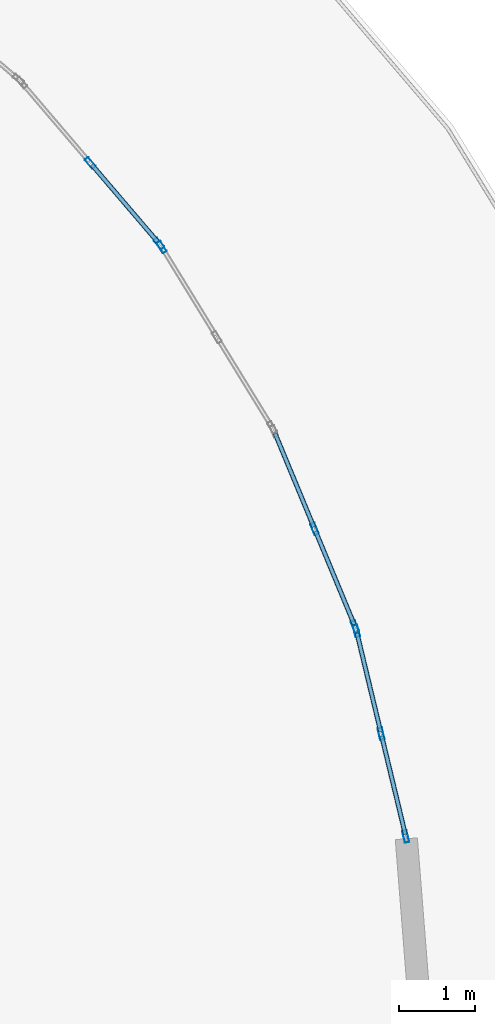
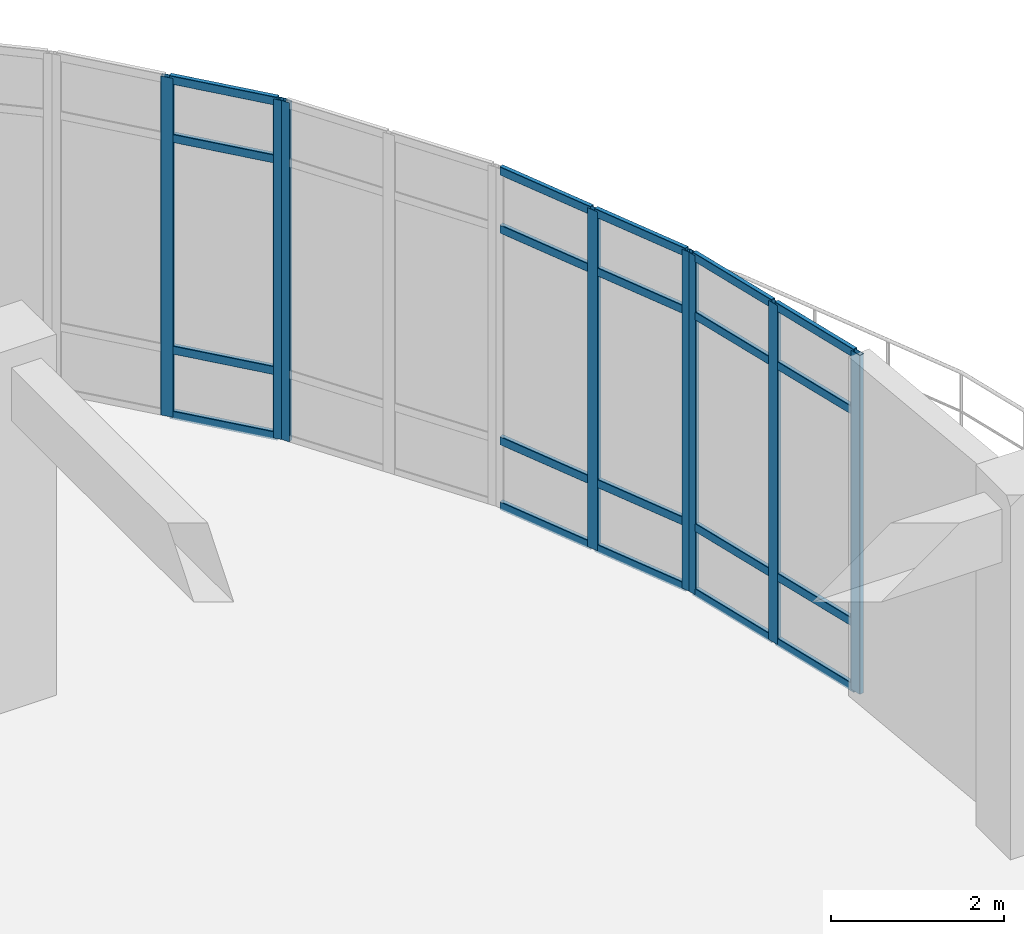
# One storey, part 65 of 96: 28 members, 4 elements without a shape of their own.
"""IFC4 building model written with IfcOpenShell, lengths in metres."""

from ifc_helpers import new_model, si_unit, derived_unit, direction, frame, origin, origin_2d, place, context, subcontext, project, spatial, hollow_rectangle, extrude, material, layer, layer_set, material_profile, profile_set, type_object, element, aggregate, save


model = new_model("IFC4")

# Units and contexts
model_context = context("Model", 3, precision=1e-05, world=origin(), true_north=direction((0.0, 1.0)))
body_context = subcontext(model_context, "Body", "Model", "MODEL_VIEW")
ifc_project = project(units=[si_unit("LENGTHUNIT", "METRE"), si_unit("AREAUNIT", "SQUARE_METRE"), si_unit("VOLUMEUNIT", "CUBIC_METRE"), si_unit("PLANEANGLEUNIT", "RADIAN"), si_unit("MASSUNIT", "GRAM", prefix="KILO"), derived_unit("THERMALTRANSMITTANCEUNIT", [(si_unit("MASSUNIT", "GRAM", prefix="KILO"), 1), (si_unit("TIMEUNIT", "SECOND"), -3), (si_unit("THERMODYNAMICTEMPERATUREUNIT", "KELVIN"), -1)])], contexts=[model_context])

# Site, building, storey
site_placement = place(None, origin())
site = spatial("IfcSite", under=ifc_project, at=site_placement, CompositionType="ELEMENT")
building_placement = place(site_placement, origin())
building = spatial("IfcBuilding", under=site, at=building_placement, Name="Qinzheling Arcade Emporium", CompositionType="ELEMENT")
storey_placement = place(building_placement, frame((0.0, 0.0, 21.60009765625)))
storey = spatial("IfcBuildingStorey", under=building, at=storey_placement, Name="L05", CompositionType="ELEMENT", Elevation=21.60009765625)

# Curtain wall, members
ifc_material_1 = material(Name="Anodised aluminium and solar-control double glazing", Category="aluminium")
ifc_layer = layer(ifc_material_1, 0.159912109375, Name="Anodised aluminium and solar-control double glazing", Category="aluminium")
ifc_layer_set = layer_set([ifc_layer], Name="Anodised aluminium and solar-control double glazing")
curtain_wall_type = type_object("IfcCurtainWallType", Name="Curved Ribbon Sales Curtain Wall", PredefinedType="NOTDEFINED", material=ifc_layer_set)
curtain_wall_1_placement = place(storey_placement, origin())
curtain_wall_1 = element("IfcCurtainWall", 1, at=curtain_wall_1_placement, inside=storey, type_object=curtain_wall_type, Name="Curtain Wall CW-L05-339", PredefinedType="NOTDEFINED")
ifc_material_2 = material(Name="Anodised aluminium 6063-T6", Category="aluminium")
ifc_material_profile_1 = material_profile(ifc_material_2, hollow_rectangle(XDim=0.06005859375, YDim=0.159912109375, WallThickness=0.00390625, InnerFilletRadius=0.00390625, OuterFilletRadius=0.008056640625, at=origin_2d()), Name="RHS 160x60x4", Category="aluminium")
ifc_profile_set_1 = profile_set([ifc_material_profile_1], Name="Anodised aluminium 6063-T6")
member_type_1 = type_object("IfcMemberType", Name="Curtain Wall Mullion RHS160x60", PredefinedType="MULLION", material=ifc_profile_set_1)
member_1_placement = place(storey_placement, frame((134.844970703125, 102.85400390625, 0.0), z_axis=(0.0, 0.0, 1.0), x_axis=(0.760504799831, 0.64933231048, 0.0)))
member_1 = element("IfcMember", 2, at=member_1_placement, type_object=member_type_1, Name="CW02 mullion 2", PredefinedType="MULLION", context=body_context, shape_type="SweptSolid", body=[
    extrude(hollow_rectangle(XDim=0.06005859375, YDim=0.159912109375, WallThickness=0.00390625, InnerFilletRadius=0.00390625, OuterFilletRadius=0.008056640625, at=origin_2d()), origin(), (0.0, 0.0, 1.0), 4.789794921875),
])
member_2_placement = place(storey_placement, frame((135.742431640625, 101.802734375, 0.0), z_axis=(0.0, 0.0, 1.0), x_axis=(0.760504799831, 0.64933231048, 0.0)))
member_2 = element("IfcMember", 3, at=member_2_placement, type_object=member_type_1, Name="CW02 mullion 3", PredefinedType="MULLION", context=body_context, shape_type="SweptSolid", body=[
    extrude(hollow_rectangle(XDim=0.06005859375, YDim=0.159912109375, WallThickness=0.00390625, InnerFilletRadius=0.00390625, OuterFilletRadius=0.008056640625, at=origin_2d()), origin(), (0.0, 0.0, 1.0), 4.789794921875),
])

# Curtain wall, member
curtain_wall_2_placement = place(storey_placement, origin())
curtain_wall_2 = element("IfcCurtainWall", 4, at=curtain_wall_2_placement, inside=storey, type_object=curtain_wall_type, Name="Curtain Wall CW-L05-340", PredefinedType="NOTDEFINED")
member_3_placement = place(storey_placement, frame((135.777587890625, 101.75439453125, 0.0), z_axis=(0.0, 0.0, 1.0), x_axis=(0.852580897222, 0.522595267575, 0.0)))
member_3 = element("IfcMember", 5, at=member_3_placement, type_object=member_type_1, Name="CW02 mullion 1", PredefinedType="MULLION", context=body_context, shape_type="SweptSolid", body=[
    extrude(hollow_rectangle(XDim=0.06005859375, YDim=0.159912109375, WallThickness=0.00390625, InnerFilletRadius=0.00390625, OuterFilletRadius=0.008056640625, at=origin_2d()), origin(), (0.0, 0.0, 1.0), 4.789794921875),
])
aggregate(curtain_wall_2, [member_3])

# Curtain wall, members
curtain_wall_3_placement = place(storey_placement, origin())
curtain_wall_3 = element("IfcCurtainWall", 6, at=curtain_wall_3_placement, inside=storey, type_object=curtain_wall_type, Name="Curtain Wall CW-L05-341", PredefinedType="NOTDEFINED")
member_4_placement = place(storey_placement, frame((137.778564453125, 98.06689453125, 0.0), z_axis=(0.0, 0.0, 1.0), x_axis=(0.923891721508, 0.382654004198, 0.0)))
member_4 = element("IfcMember", 7, at=member_4_placement, type_object=member_type_1, Name="CW02 mullion 2", PredefinedType="MULLION", context=body_context, shape_type="SweptSolid", body=[
    extrude(hollow_rectangle(XDim=0.06005859375, YDim=0.159912109375, WallThickness=0.00390625, InnerFilletRadius=0.00390625, OuterFilletRadius=0.008056640625, at=origin_2d()), origin(), (0.0, 0.0, 1.0), 4.789794921875),
])
member_5_placement = place(storey_placement, frame((138.3076171875, 96.789794921875, 0.0), z_axis=(0.0, 0.0, 1.0), x_axis=(0.923891721508, 0.382654004198, 0.0)))
member_5 = element("IfcMember", 8, at=member_5_placement, type_object=member_type_1, Name="CW02 mullion 3", PredefinedType="MULLION", context=body_context, shape_type="SweptSolid", body=[
    extrude(hollow_rectangle(XDim=0.06005859375, YDim=0.159912109375, WallThickness=0.00390625, InnerFilletRadius=0.00390625, OuterFilletRadius=0.008056640625, at=origin_2d()), origin(), (0.0, 0.0, 1.0), 4.789794921875),
])

curtain_wall_4_placement = place(storey_placement, origin())
curtain_wall_4 = element("IfcCurtainWall", 9, at=curtain_wall_4_placement, inside=storey, type_object=curtain_wall_type, Name="Curtain Wall CW-L05-342", PredefinedType="NOTDEFINED")
member_6_placement = place(storey_placement, frame((138.325927734375, 96.73291015625, 0.0), z_axis=(0.0, 0.0, 1.0), x_axis=(0.972390516216, 0.233359559423, 0.0)))
member_6 = element("IfcMember", 10, at=member_6_placement, type_object=member_type_1, Name="CW02 mullion 1", PredefinedType="MULLION", context=body_context, shape_type="SweptSolid", body=[
    extrude(hollow_rectangle(XDim=0.06005859375, YDim=0.159912109375, WallThickness=0.00390625, InnerFilletRadius=0.00390625, OuterFilletRadius=0.008056640625, at=origin_2d()), origin(), (0.0, 0.0, 1.0), 4.789794921875),
])
member_7_placement = place(storey_placement, frame((138.6484375, 95.388916015625, 0.0), z_axis=(0.0, 0.0, 1.0), x_axis=(0.972390516216, 0.233359559423, 0.0)))
member_7 = element("IfcMember", 11, at=member_7_placement, type_object=member_type_1, Name="CW02 mullion 2", PredefinedType="MULLION", context=body_context, shape_type="SweptSolid", body=[
    extrude(hollow_rectangle(XDim=0.06005859375, YDim=0.159912109375, WallThickness=0.00390625, InnerFilletRadius=0.00390625, OuterFilletRadius=0.008056640625, at=origin_2d()), origin(), (0.0, 0.0, 1.0), 4.789794921875),
])
member_8_placement = place(storey_placement, frame((138.970947265625, 94.045166015625, 0.0), z_axis=(0.0, 0.0, 1.0), x_axis=(0.972390516216, 0.233359559423, 0.0)))
member_8 = element("IfcMember", 12, at=member_8_placement, type_object=member_type_1, Name="CW02 mullion 3", PredefinedType="MULLION", context=body_context, shape_type="SweptSolid", body=[
    extrude(hollow_rectangle(XDim=0.06005859375, YDim=0.159912109375, WallThickness=0.00390625, InnerFilletRadius=0.00390625, OuterFilletRadius=0.008056640625, at=origin_2d()), origin(), (0.0, 0.0, 1.0), 4.789794921875),
])

# Member
ifc_material_profile_2 = material_profile(ifc_material_2, hollow_rectangle(XDim=0.06005859375, YDim=0.1201171875, WallThickness=0.00390625, InnerFilletRadius=0.00390625, OuterFilletRadius=0.008056640625, at=origin_2d()), Name="RHS 120x60x4", Category="aluminium")
ifc_profile_set_2 = profile_set([ifc_material_profile_2], Name="Anodised aluminium 6063-T6")
member_type_2 = type_object("IfcMemberType", Name="Curtain Wall Transom RHS120x60", PredefinedType="USERDEFINED", material=ifc_profile_set_2)
member_9_placement = place(storey_placement, frame((134.864501953125, 102.831298828125, 0.02978515625), z_axis=(0.649345732985, -0.760493339257, 0.0), x_axis=(0.760493339257, 0.649345732985, 0.0)))
member_9 = element("IfcMember", 13, at=member_9_placement, type_object=member_type_2, Name="CW02 transom 2.1", ObjectType="TRANSOM", PredefinedType="USERDEFINED", context=body_context, shape_type="SweptSolid", body=[
    extrude(hollow_rectangle(XDim=0.06005859375, YDim=0.1201171875, WallThickness=0.00390625, InnerFilletRadius=0.00390625, OuterFilletRadius=0.008056640625, at=origin_2d()), origin(), (0.0, 0.0, 1.0), 1.322265625),
])

member_10_placement = place(storey_placement, frame((134.864501953125, 102.831298828125, 0.949951171875), z_axis=(0.649345732985, -0.760493339257, 0.0), x_axis=(0.760493339257, 0.649345732985, 0.0)))
member_10 = element("IfcMember", 14, at=member_10_placement, type_object=member_type_2, Name="CW02 transom 2.2", ObjectType="TRANSOM", PredefinedType="USERDEFINED", context=body_context, shape_type="SweptSolid", body=[
    extrude(hollow_rectangle(XDim=0.06005859375, YDim=0.1201171875, WallThickness=0.00390625, InnerFilletRadius=0.00390625, OuterFilletRadius=0.008056640625, at=origin_2d()), origin(), (0.0, 0.0, 1.0), 1.322265625),
])

member_11_placement = place(storey_placement, frame((134.864501953125, 102.831298828125, 3.93994140625), z_axis=(0.649345732985, -0.760493339257, 0.0), x_axis=(0.760493339257, 0.649345732985, 0.0)))
member_11 = element("IfcMember", 15, at=member_11_placement, type_object=member_type_2, Name="CW02 transom 2.3", ObjectType="TRANSOM", PredefinedType="USERDEFINED", context=body_context, shape_type="SweptSolid", body=[
    extrude(hollow_rectangle(XDim=0.06005859375, YDim=0.1201171875, WallThickness=0.00390625, InnerFilletRadius=0.00390625, OuterFilletRadius=0.008056640625, at=origin_2d()), origin(), (0.0, 0.0, 1.0), 1.322265625),
])

member_12_placement = place(storey_placement, frame((134.864501953125, 102.831298828125, 4.760009765625), z_axis=(0.649345732985, -0.760493339257, 0.0), x_axis=(0.760493339257, 0.649345732985, 0.0)))
member_12 = element("IfcMember", 16, at=member_12_placement, type_object=member_type_2, Name="CW02 transom 2.4", ObjectType="TRANSOM", PredefinedType="USERDEFINED", context=body_context, shape_type="SweptSolid", body=[
    extrude(hollow_rectangle(XDim=0.06005859375, YDim=0.1201171875, WallThickness=0.00390625, InnerFilletRadius=0.00390625, OuterFilletRadius=0.008056640625, at=origin_2d()), origin(), (0.0, 0.0, 1.0), 1.322265625),
])

aggregate(curtain_wall_1, [member_1, member_2, member_9, member_10, member_11, member_12])

member_13_placement = place(storey_placement, frame((137.260986328125, 99.316650390625, 0.02978515625), z_axis=(0.382661550363, -0.92388859603, 0.0), x_axis=(0.92388859603, 0.382661550363, 0.0)))
member_13 = element("IfcMember", 17, at=member_13_placement, type_object=member_type_2, Name="CW02 transom 1.1", ObjectType="TRANSOM", PredefinedType="USERDEFINED", context=body_context, shape_type="SweptSolid", body=[
    extrude(hollow_rectangle(XDim=0.06005859375, YDim=0.1201171875, WallThickness=0.00390625, InnerFilletRadius=0.00390625, OuterFilletRadius=0.008056640625, at=origin_2d()), origin(), (0.0, 0.0, 1.0), 1.322509765625),
])

member_14_placement = place(storey_placement, frame((137.260986328125, 99.316650390625, 0.949951171875), z_axis=(0.382661550363, -0.92388859603, 0.0), x_axis=(0.92388859603, 0.382661550363, 0.0)))
member_14 = element("IfcMember", 18, at=member_14_placement, type_object=member_type_2, Name="CW02 transom 1.2", ObjectType="TRANSOM", PredefinedType="USERDEFINED", context=body_context, shape_type="SweptSolid", body=[
    extrude(hollow_rectangle(XDim=0.06005859375, YDim=0.1201171875, WallThickness=0.00390625, InnerFilletRadius=0.00390625, OuterFilletRadius=0.008056640625, at=origin_2d()), origin(), (0.0, 0.0, 1.0), 1.322509765625),
])

member_15_placement = place(storey_placement, frame((137.260986328125, 99.316650390625, 3.93994140625), z_axis=(0.382661550363, -0.92388859603, 0.0), x_axis=(0.92388859603, 0.382661550363, 0.0)))
member_15 = element("IfcMember", 19, at=member_15_placement, type_object=member_type_2, Name="CW02 transom 1.3", ObjectType="TRANSOM", PredefinedType="USERDEFINED", context=body_context, shape_type="SweptSolid", body=[
    extrude(hollow_rectangle(XDim=0.06005859375, YDim=0.1201171875, WallThickness=0.00390625, InnerFilletRadius=0.00390625, OuterFilletRadius=0.008056640625, at=origin_2d()), origin(), (0.0, 0.0, 1.0), 1.322509765625),
])

member_16_placement = place(storey_placement, frame((137.260986328125, 99.316650390625, 4.760009765625), z_axis=(0.382661550363, -0.92388859603, 0.0), x_axis=(0.92388859603, 0.382661550363, 0.0)))
member_16 = element("IfcMember", 20, at=member_16_placement, type_object=member_type_2, Name="CW02 transom 1.4", ObjectType="TRANSOM", PredefinedType="USERDEFINED", context=body_context, shape_type="SweptSolid", body=[
    extrude(hollow_rectangle(XDim=0.06005859375, YDim=0.1201171875, WallThickness=0.00390625, InnerFilletRadius=0.00390625, OuterFilletRadius=0.008056640625, at=origin_2d()), origin(), (0.0, 0.0, 1.0), 1.322509765625),
])

member_17_placement = place(storey_placement, frame((137.7900390625, 98.039306640625, 0.02978515625), z_axis=(0.382661550363, -0.92388859603, 0.0), x_axis=(0.92388859603, 0.382661550363, 0.0)))
member_17 = element("IfcMember", 21, at=member_17_placement, type_object=member_type_2, Name="CW02 transom 2.1", ObjectType="TRANSOM", PredefinedType="USERDEFINED", context=body_context, shape_type="SweptSolid", body=[
    extrude(hollow_rectangle(XDim=0.06005859375, YDim=0.1201171875, WallThickness=0.00390625, InnerFilletRadius=0.00390625, OuterFilletRadius=0.008056640625, at=origin_2d()), origin(), (0.0, 0.0, 1.0), 1.322509765625),
])

member_18_placement = place(storey_placement, frame((137.7900390625, 98.039306640625, 0.949951171875), z_axis=(0.382661550363, -0.92388859603, 0.0), x_axis=(0.92388859603, 0.382661550363, 0.0)))
member_18 = element("IfcMember", 22, at=member_18_placement, type_object=member_type_2, Name="CW02 transom 2.2", ObjectType="TRANSOM", PredefinedType="USERDEFINED", context=body_context, shape_type="SweptSolid", body=[
    extrude(hollow_rectangle(XDim=0.06005859375, YDim=0.1201171875, WallThickness=0.00390625, InnerFilletRadius=0.00390625, OuterFilletRadius=0.008056640625, at=origin_2d()), origin(), (0.0, 0.0, 1.0), 1.322509765625),
])

member_19_placement = place(storey_placement, frame((137.7900390625, 98.039306640625, 3.93994140625), z_axis=(0.382661550363, -0.92388859603, 0.0), x_axis=(0.92388859603, 0.382661550363, 0.0)))
member_19 = element("IfcMember", 23, at=member_19_placement, type_object=member_type_2, Name="CW02 transom 2.3", ObjectType="TRANSOM", PredefinedType="USERDEFINED", context=body_context, shape_type="SweptSolid", body=[
    extrude(hollow_rectangle(XDim=0.06005859375, YDim=0.1201171875, WallThickness=0.00390625, InnerFilletRadius=0.00390625, OuterFilletRadius=0.008056640625, at=origin_2d()), origin(), (0.0, 0.0, 1.0), 1.322509765625),
])

member_20_placement = place(storey_placement, frame((137.7900390625, 98.039306640625, 4.760009765625), z_axis=(0.382661550363, -0.92388859603, 0.0), x_axis=(0.92388859603, 0.382661550363, 0.0)))
member_20 = element("IfcMember", 24, at=member_20_placement, type_object=member_type_2, Name="CW02 transom 2.4", ObjectType="TRANSOM", PredefinedType="USERDEFINED", context=body_context, shape_type="SweptSolid", body=[
    extrude(hollow_rectangle(XDim=0.06005859375, YDim=0.1201171875, WallThickness=0.00390625, InnerFilletRadius=0.00390625, OuterFilletRadius=0.008056640625, at=origin_2d()), origin(), (0.0, 0.0, 1.0), 1.322509765625),
])

aggregate(curtain_wall_3, [member_4, member_5, member_13, member_14, member_15, member_16, member_17, member_18, member_19, member_20])

member_21_placement = place(storey_placement, frame((138.3330078125, 96.70361328125, 0.02978515625), z_axis=(0.233442802766, -0.972370535257, 0.0), x_axis=(0.972370535257, 0.233442802766, 0.0)))
member_21 = element("IfcMember", 25, at=member_21_placement, type_object=member_type_2, Name="CW02 transom 1.1", ObjectType="TRANSOM", PredefinedType="USERDEFINED", context=body_context, shape_type="SweptSolid", body=[
    extrude(hollow_rectangle(XDim=0.06005859375, YDim=0.1201171875, WallThickness=0.00390625, InnerFilletRadius=0.00390625, OuterFilletRadius=0.008056640625, at=origin_2d()), origin(), (0.0, 0.0, 1.0), 1.322021484375),
])

member_22_placement = place(storey_placement, frame((138.3330078125, 96.70361328125, 0.949951171875), z_axis=(0.233442802766, -0.972370535257, 0.0), x_axis=(0.972370535257, 0.233442802766, 0.0)))
member_22 = element("IfcMember", 26, at=member_22_placement, type_object=member_type_2, Name="CW02 transom 1.2", ObjectType="TRANSOM", PredefinedType="USERDEFINED", context=body_context, shape_type="SweptSolid", body=[
    extrude(hollow_rectangle(XDim=0.06005859375, YDim=0.1201171875, WallThickness=0.00390625, InnerFilletRadius=0.00390625, OuterFilletRadius=0.008056640625, at=origin_2d()), origin(), (0.0, 0.0, 1.0), 1.322021484375),
])

member_23_placement = place(storey_placement, frame((138.3330078125, 96.70361328125, 3.93994140625), z_axis=(0.233442802766, -0.972370535257, 0.0), x_axis=(0.972370535257, 0.233442802766, 0.0)))
member_23 = element("IfcMember", 27, at=member_23_placement, type_object=member_type_2, Name="CW02 transom 1.3", ObjectType="TRANSOM", PredefinedType="USERDEFINED", context=body_context, shape_type="SweptSolid", body=[
    extrude(hollow_rectangle(XDim=0.06005859375, YDim=0.1201171875, WallThickness=0.00390625, InnerFilletRadius=0.00390625, OuterFilletRadius=0.008056640625, at=origin_2d()), origin(), (0.0, 0.0, 1.0), 1.322021484375),
])

member_24_placement = place(storey_placement, frame((138.3330078125, 96.70361328125, 4.760009765625), z_axis=(0.233442802766, -0.972370535257, 0.0), x_axis=(0.972370535257, 0.233442802766, 0.0)))
member_24 = element("IfcMember", 28, at=member_24_placement, type_object=member_type_2, Name="CW02 transom 1.4", ObjectType="TRANSOM", PredefinedType="USERDEFINED", context=body_context, shape_type="SweptSolid", body=[
    extrude(hollow_rectangle(XDim=0.06005859375, YDim=0.1201171875, WallThickness=0.00390625, InnerFilletRadius=0.00390625, OuterFilletRadius=0.008056640625, at=origin_2d()), origin(), (0.0, 0.0, 1.0), 1.322021484375),
])

member_25_placement = place(storey_placement, frame((138.655517578125, 95.35986328125, 0.02978515625), z_axis=(0.233442802766, -0.972370535257, 0.0), x_axis=(0.972370535257, 0.233442802766, 0.0)))
member_25 = element("IfcMember", 29, at=member_25_placement, type_object=member_type_2, Name="CW02 transom 2.1", ObjectType="TRANSOM", PredefinedType="USERDEFINED", context=body_context, shape_type="SweptSolid", body=[
    extrude(hollow_rectangle(XDim=0.06005859375, YDim=0.1201171875, WallThickness=0.00390625, InnerFilletRadius=0.00390625, OuterFilletRadius=0.008056640625, at=origin_2d()), origin(), (0.0, 0.0, 1.0), 1.322021484375),
])

member_26_placement = place(storey_placement, frame((138.655517578125, 95.35986328125, 0.949951171875), z_axis=(0.233442802766, -0.972370535257, 0.0), x_axis=(0.972370535257, 0.233442802766, 0.0)))
member_26 = element("IfcMember", 30, at=member_26_placement, type_object=member_type_2, Name="CW02 transom 2.2", ObjectType="TRANSOM", PredefinedType="USERDEFINED", context=body_context, shape_type="SweptSolid", body=[
    extrude(hollow_rectangle(XDim=0.06005859375, YDim=0.1201171875, WallThickness=0.00390625, InnerFilletRadius=0.00390625, OuterFilletRadius=0.008056640625, at=origin_2d()), origin(), (0.0, 0.0, 1.0), 1.322021484375),
])

member_27_placement = place(storey_placement, frame((138.655517578125, 95.35986328125, 3.93994140625), z_axis=(0.233442802766, -0.972370535257, 0.0), x_axis=(0.972370535257, 0.233442802766, 0.0)))
member_27 = element("IfcMember", 31, at=member_27_placement, type_object=member_type_2, Name="CW02 transom 2.3", ObjectType="TRANSOM", PredefinedType="USERDEFINED", context=body_context, shape_type="SweptSolid", body=[
    extrude(hollow_rectangle(XDim=0.06005859375, YDim=0.1201171875, WallThickness=0.00390625, InnerFilletRadius=0.00390625, OuterFilletRadius=0.008056640625, at=origin_2d()), origin(), (0.0, 0.0, 1.0), 1.322021484375),
])

member_28_placement = place(storey_placement, frame((138.655517578125, 95.35986328125, 4.760009765625), z_axis=(0.233442802766, -0.972370535257, 0.0), x_axis=(0.972370535257, 0.233442802766, 0.0)))
member_28 = element("IfcMember", 32, at=member_28_placement, type_object=member_type_2, Name="CW02 transom 2.4", ObjectType="TRANSOM", PredefinedType="USERDEFINED", context=body_context, shape_type="SweptSolid", body=[
    extrude(hollow_rectangle(XDim=0.06005859375, YDim=0.1201171875, WallThickness=0.00390625, InnerFilletRadius=0.00390625, OuterFilletRadius=0.008056640625, at=origin_2d()), origin(), (0.0, 0.0, 1.0), 1.322021484375),
])

aggregate(curtain_wall_4, [member_6, member_7, member_8, member_21, member_22, member_23, member_24, member_25, member_26, member_27, member_28])

save(model, "model.ifc")
